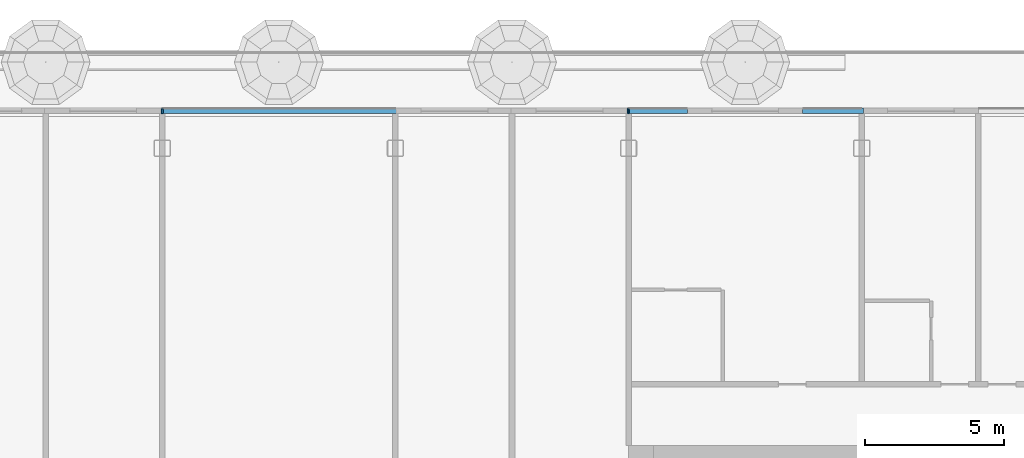
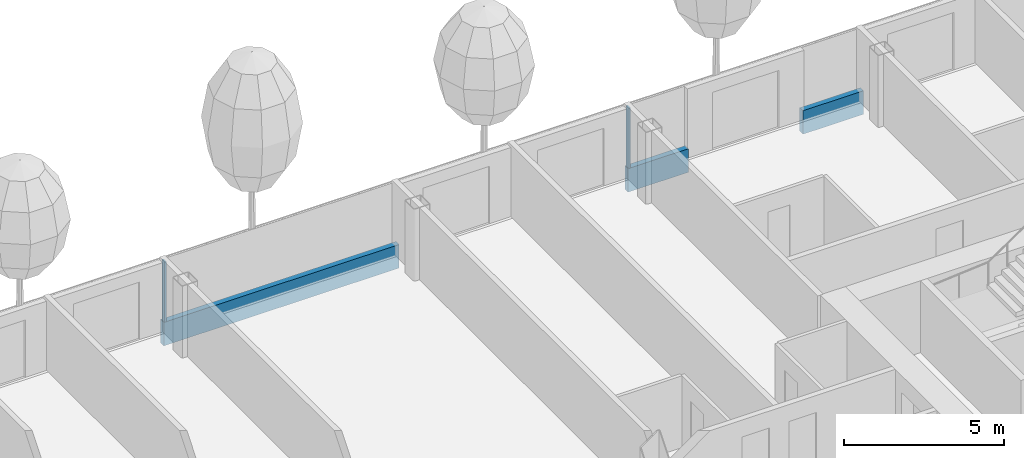
# One storey, part 6 of 28: 5 members, 1 element without a shape of its own.
"""IFC4 building model written with IfcOpenShell, lengths in metres."""

from ifc_helpers import new_model, si_unit, direction, frame, origin, origin_2d, place, context, subcontext, project, spatial, rectangle, extrude, material, layer, layer_set, material_profile, profile_set, type_object, element, aggregate, save


model = new_model("IFC4")

# Units and contexts
model_context = context("Model", 3, precision=1e-05, world=origin(), true_north=direction((0.0, 1.0)))
body_context = subcontext(model_context, "Body", "Model", "MODEL_VIEW")
ifc_project = project(units=[si_unit("LENGTHUNIT", "METRE"), si_unit("AREAUNIT", "SQUARE_METRE"), si_unit("VOLUMEUNIT", "CUBIC_METRE"), si_unit("PLANEANGLEUNIT", "RADIAN"), si_unit("MASSUNIT", "GRAM", prefix="KILO")], contexts=[model_context])

# Site, building, storey
site_placement = place(None, origin())
site = spatial("IfcSite", under=ifc_project, at=site_placement, CompositionType="ELEMENT")
building_placement = place(site_placement, origin())
building = spatial("IfcBuilding", under=site, at=building_placement, Name="Hakoniwa Tower and Hamabe Station Hall", CompositionType="ELEMENT")
storey_placement = place(building_placement, frame((0.0, 0.0, 193.0)))
storey = spatial("IfcBuildingStorey", under=building, at=storey_placement, Name="L54", CompositionType="ELEMENT", Elevation=193.0)

# Curtain wall, members
ifc_material_1 = material(Name="Dark low-e laminated glass", Category="glass")
ifc_layer = layer(ifc_material_1, 0.199951171875)
ifc_layer_set = layer_set([ifc_layer], Name="CW-1 UNITISED GUEST")
curtain_wall_type = type_object("IfcCurtainWallType", Name="CW-1 UNITISED GUEST", PredefinedType="NOTDEFINED", material=ifc_layer_set)
curtain_wall_placement = place(storey_placement, origin())
curtain_wall = element("IfcCurtainWall", 1, at=curtain_wall_placement, inside=storey, type_object=curtain_wall_type, Name="CW-1 curtain wall", PredefinedType="NOTDEFINED")
ifc_material_2 = material(Name="Aluminium 6063-T5 black anodised", Category="aluminium")
ifc_material_profile_1 = material_profile(ifc_material_2, rectangle(XDim=0.199951171875, YDim=0.89990234375, at=origin_2d()), Name="CW SLAB-EDGE BAND 900X200")
ifc_profile_set_1 = profile_set([ifc_material_profile_1], Name="Aluminium 6063-T5 black anodised")
member_type_1 = type_object("IfcMemberType", Name="CW SLAB-EDGE BAND 900X200", PredefinedType="USERDEFINED", material=ifc_profile_set_1)
member_1_placement = place(storey_placement, frame((25.260009765625, 20.449951171875, -0.10009765625), z_axis=(-1.0, 0.0, 0.0), x_axis=(0.0, -1.0, 0.0)))
member_1 = element("IfcMember", 2, at=member_1_placement, type_object=member_type_1, Name="CW-1 transom", ObjectType="TRANSOM", PredefinedType="USERDEFINED", context=body_context, shape_type="SweptSolid", body=[
    extrude(rectangle(XDim=0.199951171875, YDim=0.89990234375, at=origin_2d()), origin(), (0.0, 0.0, 1.0), 2.18994140625),
])
member_2_placement = place(storey_placement, frame((18.929931640625, 20.449951171875, -0.10009765625), z_axis=(-1.0, 0.0, 0.0), x_axis=(0.0, -1.0, 0.0)))
member_2 = element("IfcMember", 3, at=member_2_placement, type_object=member_type_1, Name="CW-1 transom", ObjectType="TRANSOM", PredefinedType="USERDEFINED", context=body_context, shape_type="SweptSolid", body=[
    extrude(rectangle(XDim=0.199951171875, YDim=0.89990234375, at=origin_2d()), origin(), (0.0, 0.0, 1.0), 2.18994140625),
])
member_3_placement = place(storey_placement, frame((8.4599609375, 20.449951171875, -0.10009765625), z_axis=(-1.0, 0.0, 0.0), x_axis=(0.0, -1.0, 0.0)))
member_3 = element("IfcMember", 4, at=member_3_placement, type_object=member_type_1, Name="CW-1 transom", ObjectType="TRANSOM", PredefinedType="USERDEFINED", context=body_context, shape_type="SweptSolid", body=[
    extrude(rectangle(XDim=0.199951171875, YDim=0.89990234375, at=origin_2d()), origin(), (0.0, 0.0, 1.0), 8.52001953125),
])
ifc_material_3 = material(Name="Aluminium 6063-T5 black anodised", Category="aluminium")
ifc_material_profile_2 = material_profile(ifc_material_3, rectangle(XDim=0.06005859375, YDim=0.179931640625, at=origin_2d()), Name="CW-1 MULLION 60X180")
ifc_profile_set_2 = profile_set([ifc_material_profile_2], Name="Aluminium 6063-T5 black anodised")
member_type_2 = type_object("IfcMemberType", Name="CW-1 MULLION 60X180", PredefinedType="MULLION", material=ifc_profile_set_2)
member_4_placement = place(storey_placement, frame((16.800048828125, 20.431884765625, 0.35009765625), z_axis=(0.0, 0.0, 1.0), x_axis=(-1.0, 0.0, 0.0)))
member_4 = element("IfcMember", 5, at=member_4_placement, type_object=member_type_2, Name="CW-1 mullion", PredefinedType="MULLION", context=body_context, shape_type="SweptSolid", body=[
    extrude(rectangle(XDim=0.06005859375, YDim=0.179931640625, at=origin_2d()), origin(), (0.0, 0.0, 1.0), 2.2998046875),
])
member_5_placement = place(storey_placement, frame((0.0, 20.431884765625, 0.35009765625), z_axis=(0.0, 0.0, 1.0), x_axis=(-1.0, 0.0, 0.0)))
member_5 = element("IfcMember", 6, at=member_5_placement, type_object=member_type_2, Name="CW-1 mullion", PredefinedType="MULLION", context=body_context, shape_type="SweptSolid", body=[
    extrude(rectangle(XDim=0.06005859375, YDim=0.179931640625, at=origin_2d()), origin(), (0.0, 0.0, 1.0), 2.2998046875),
])
aggregate(curtain_wall, [member_4, member_5, member_1, member_2, member_3])

save(model, "model.ifc")
